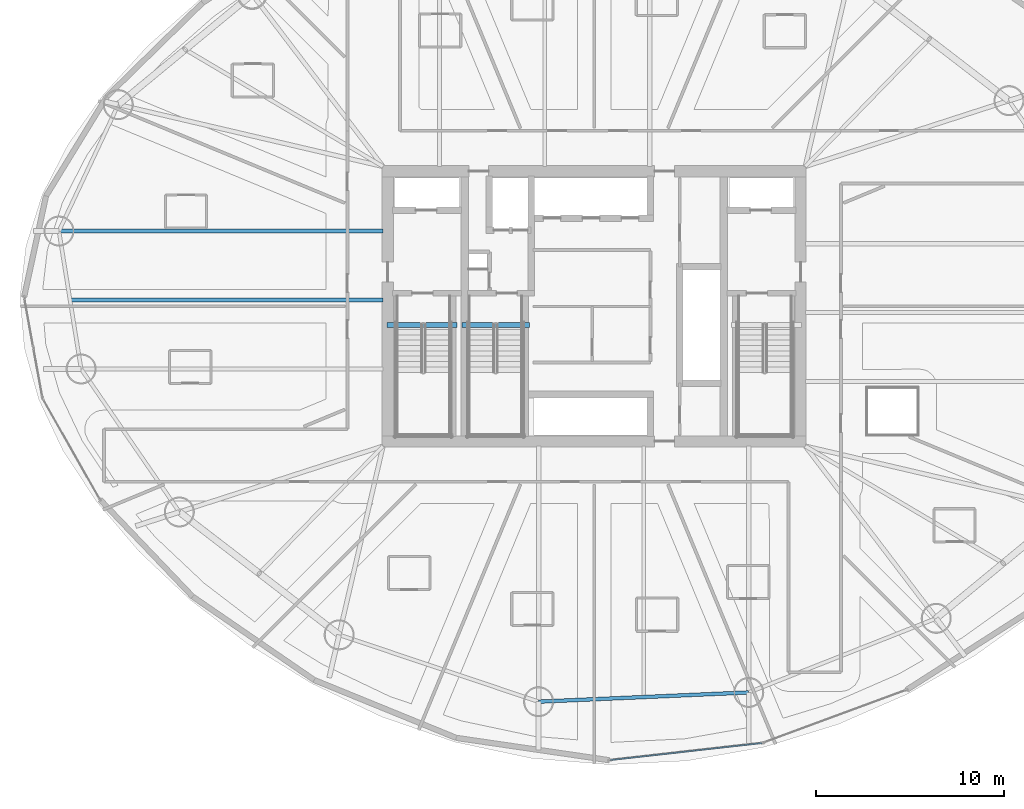
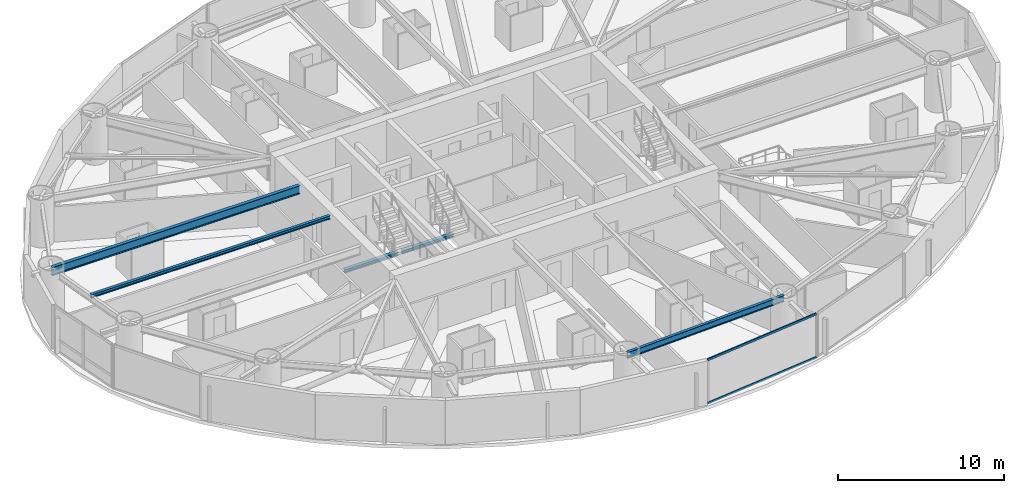
# One storey, part 8 of 27: 5 beams, 2 members, 1 element without a shape of its own.
"""IFC4 building model written with IfcOpenShell, lengths in metres."""

from ifc_helpers import new_model, si_unit, direction, frame, origin, origin_2d, place, context, subcontext, project, spatial, hollow_rectangle, i_section, extrude, material, layer, layer_set, material_profile, profile_set, type_object, element, aggregate, save


model = new_model("IFC4")

# Units and contexts
model_context = context("Model", 3, precision=1e-05, world=origin(), true_north=direction((0.0, 1.0)))
body_context = subcontext(model_context, "Body", "Model", "MODEL_VIEW")
ifc_project = project(units=[si_unit("LENGTHUNIT", "METRE"), si_unit("AREAUNIT", "SQUARE_METRE"), si_unit("VOLUMEUNIT", "CUBIC_METRE"), si_unit("PLANEANGLEUNIT", "RADIAN"), si_unit("MASSUNIT", "GRAM", prefix="KILO")], contexts=[model_context])

# Site, building, storey
site_placement = place(None, origin())
site = spatial("IfcSite", under=ifc_project, at=site_placement, CompositionType="ELEMENT")
building_placement = place(site_placement, origin())
building = spatial("IfcBuilding", under=site, at=building_placement, Name="Bramvorn Convention Spire", CompositionType="ELEMENT")
storey_placement = place(building_placement, frame((0.0, 0.0, 41.39990234375)))
storey = spatial("IfcBuildingStorey", under=building, at=storey_placement, Name="L07", CompositionType="ELEMENT", Elevation=41.39990234375)

# Beams
ifc_material_1 = material(Name="Steel CSA G40.21 Grade 350 (350W)", Category="steel")
ifc_material_profile_1 = material_profile(ifc_material_1, i_section(OverallWidth=0.201904296875, OverallDepth=0.2470703125, WebThickness=0.00732421875, FlangeThickness=0.010986328125, FilletRadius=0.011962890625, at=origin_2d()))
ifc_profile_set_1 = profile_set([ifc_material_profile_1], Name="Steel CSA G40.21 Grade 350 (350W) - W250X49")
beam_type_1 = type_object("IfcBeamType", Name="BM-W250X49", PredefinedType="JOIST", material=ifc_profile_set_1)
beam_1_placement = place(storey_placement, frame((26.75, 26.333984375, 3.126708984375), z_axis=(-1.0, 0.0, 0.0), x_axis=(0.0, -1.0, 0.0)))
element("IfcBeam", 1, at=beam_1_placement, inside=storey, type_object=beam_type_1, Name="L07 composite floor joist 09", PredefinedType="JOIST", context=body_context, shape_type="SweptSolid", body=[
    extrude(i_section(OverallWidth=0.201904296875, OverallDepth=0.2470703125, WebThickness=0.00732421875, FlangeThickness=0.010986328125, FilletRadius=0.011962890625, at=origin_2d()), origin(), (0.0, 0.0, 1.0), 16.67919921875),
])
ifc_material_profile_2 = material_profile(ifc_material_1, i_section(OverallWidth=0.25390625, OverallDepth=0.2529296875, WebThickness=0.008544921875, FlangeThickness=0.01416015625, FilletRadius=0.011962890625, at=origin_2d()))
ifc_profile_set_2 = profile_set([ifc_material_profile_2], Name="Steel CSA G40.21 Grade 350 (350W) - W250X73")
beam_type_2 = type_object("IfcBeamType", Name="BM-W250X73", PredefinedType="BEAM", material=ifc_profile_set_2)
beam_2_placement = place(storey_placement, frame((26.949951171875, 25.010009765625, -0.12646484375), z_axis=(1.0, 0.0, 0.0), x_axis=(0.0, 1.0, 0.0)))
element("IfcBeam", 2, at=beam_2_placement, inside=storey, type_object=beam_type_2, Name="L07 ST1 stair arrival header beam", PredefinedType="BEAM", context=body_context, shape_type="SweptSolid", body=[
    extrude(i_section(OverallWidth=0.25390625, OverallDepth=0.2529296875, WebThickness=0.008544921875, FlangeThickness=0.01416015625, FilletRadius=0.011962890625, at=origin_2d()), origin(), (0.0, 0.0, 1.0), 3.739990234375),
])
beam_3_placement = place(storey_placement, frame((30.949951171875, 25.010009765625, -0.12646484375), z_axis=(1.0, 0.0, 0.0), x_axis=(0.0, 1.0, 0.0)))
element("IfcBeam", 3, at=beam_3_placement, inside=storey, type_object=beam_type_2, Name="L07 ST3 stair arrival header beam", PredefinedType="BEAM", context=body_context, shape_type="SweptSolid", body=[
    extrude(i_section(OverallWidth=0.25390625, OverallDepth=0.2529296875, WebThickness=0.008544921875, FlangeThickness=0.01416015625, FilletRadius=0.011962890625, at=origin_2d()), origin(), (0.0, 0.0, 1.0), 3.610107421875),
])
ifc_material_profile_3 = material_profile(ifc_material_1, i_section(OverallWidth=0.194091796875, OverallDepth=0.468994140625, WebThickness=0.0126953125, FlangeThickness=0.0205078125, FilletRadius=0.01806640625, at=origin_2d()))
ifc_profile_set_3 = profile_set([ifc_material_profile_3], Name="Steel CSA G40.21 Grade 350 (350W) - W460X106")
beam_type_3 = type_object("IfcBeamType", Name="BM-W460X106", PredefinedType="SPANDREL", material=ifc_profile_set_3)
beam_4_placement = place(storey_placement, frame((35.0390625, 4.93115234375, 3.015625), z_axis=(0.999035582762, 0.043907907889, 0.0), x_axis=(-0.043907907889, 0.999035582762, 0.0)))
element("IfcBeam", 4, at=beam_4_placement, inside=storey, type_object=beam_type_3, Name="L07 mega-column ring beam 13", PredefinedType="SPANDREL", context=body_context, shape_type="SweptSolid", body=[
    extrude(i_section(OverallWidth=0.194091796875, OverallDepth=0.468994140625, WebThickness=0.0126953125, FlangeThickness=0.0205078125, FilletRadius=0.01806640625, at=origin_2d()), origin(), (0.0, 0.0, 1.0), 11.20947265625),
])
ifc_material_profile_4 = material_profile(ifc_material_1, i_section(OverallWidth=0.22998046875, OverallDepth=0.616943359375, WebThickness=0.01318359375, FlangeThickness=0.022216796875, FilletRadius=0.02001953125, at=origin_2d()))
ifc_profile_set_4 = profile_set([ifc_material_profile_4], Name="Steel CSA G40.21 Grade 350 (350W) - W610X140")
beam_type_4 = type_object("IfcBeamType", Name="BM-W610X140", PredefinedType="BEAM", material=ifc_profile_set_4)
beam_5_placement = place(storey_placement, frame((26.75, 30.00830078125, 2.941650390625), z_axis=(-1.0, 0.0, 0.0), x_axis=(0.0, -1.0, 0.0)))
element("IfcBeam", 5, at=beam_5_placement, inside=storey, type_object=beam_type_4, Name="L07 radial floor girder MC09", PredefinedType="BEAM", context=body_context, shape_type="SweptSolid", body=[
    extrude(i_section(OverallWidth=0.22998046875, OverallDepth=0.616943359375, WebThickness=0.01318359375, FlangeThickness=0.022216796875, FilletRadius=0.02001953125, at=origin_2d()), origin(), (0.0, 0.0, 1.0), 17.269775390625),
])

# Curtain wall, members
ifc_material_2 = material(Name="Anodised Bronze Unitised Curtain Wall", Category="aluminium")
ifc_layer = layer(ifc_material_2, 0.179931640625)
ifc_layer_set = layer_set([ifc_layer], Name="Anodised Bronze Unitised Curtain Wall - CW-HTL-FRIT")
curtain_wall_type = type_object("IfcCurtainWallType", Name="CW-HTL-FRIT", PredefinedType="USERDEFINED", material=ifc_layer_set)
curtain_wall_placement = place(storey_placement, origin())
curtain_wall = element("IfcCurtainWall", 6, at=curtain_wall_placement, inside=storey, type_object=curtain_wall_type, Name="L07 fritted glass curtain wall 19", ObjectType="UNITISED CURTAIN WALL", PredefinedType="USERDEFINED")
ifc_material_3 = material(Name="Anodised Bronze Aluminium 6063-T6", Category="aluminium")
ifc_material_profile_5 = material_profile(ifc_material_3, hollow_rectangle(XDim=0.080078125, YDim=0.159912109375, WallThickness=0.00390625, InnerFilletRadius=0.0009765625, OuterFilletRadius=0.00390625, at=origin_2d()))
ifc_profile_set_5 = profile_set([ifc_material_profile_5], Name="Anodised Bronze Aluminium 6063-T6 - CWT80X160")
member_type = type_object("IfcMemberType", Name="CW-TRN-150", PredefinedType="USERDEFINED", material=ifc_profile_set_5)
member_1_placement = place(storey_placement, frame((46.929443359375, 2.725830078125, 0.030029296875), z_axis=(-0.993754754895, -0.11158623178, 0.0), x_axis=(0.11158623178, -0.993754754895, 0.0)))
member_1 = element("IfcMember", 7, at=member_1_placement, type_object=member_type, Name="CW2 transom 1.1", ObjectType="TRANSOM", PredefinedType="USERDEFINED", context=body_context, shape_type="SweptSolid", body=[
    extrude(hollow_rectangle(XDim=0.080078125, YDim=0.159912109375, WallThickness=0.00390625, InnerFilletRadius=0.0009765625, OuterFilletRadius=0.00390625, at=origin_2d()), origin(), (0.0, 0.0, 1.0), 8.12158203125),
])
member_2_placement = place(storey_placement, frame((46.929443359375, 2.725830078125, 3.22021484375), z_axis=(-0.993754754895, -0.11158623178, 0.0), x_axis=(0.11158623178, -0.993754754895, 0.0)))
member_2 = element("IfcMember", 8, at=member_2_placement, type_object=member_type, Name="CW2 transom 1.2", ObjectType="TRANSOM", PredefinedType="USERDEFINED", context=body_context, shape_type="SweptSolid", body=[
    extrude(hollow_rectangle(XDim=0.080078125, YDim=0.159912109375, WallThickness=0.00390625, InnerFilletRadius=0.0009765625, OuterFilletRadius=0.00390625, at=origin_2d()), origin(), (0.0, 0.0, 1.0), 8.12158203125),
])
aggregate(curtain_wall, [member_1, member_2])

save(model, "model.ifc")
